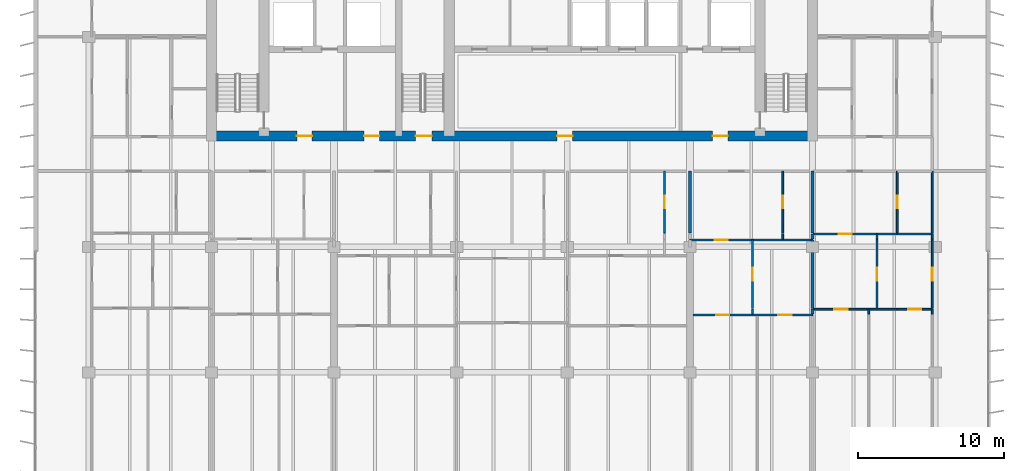
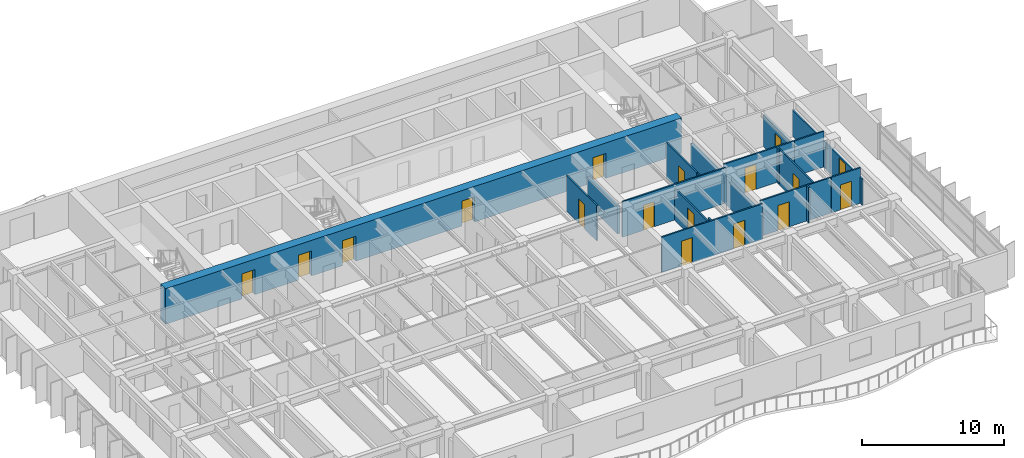
# One storey, part 11 of 18: 25 walls, 17 doors, 17 openings.
"""IFC4 building model written with IfcOpenShell, lengths in metres."""

from ifc_helpers import new_model, si_unit, direction, frame, frame_2d, origin, place, context, subcontext, project, spatial, rectangle, extrude, material, layer, layer_set, type_object, element, fill, save


model = new_model("IFC4")

# Units and contexts
model_context = context("Model", 3, precision=1e-05, world=origin(), true_north=direction((0.0, 1.0)))
body_context = subcontext(model_context, "Body", "Model", "MODEL_VIEW")
ifc_project = project(units=[si_unit("LENGTHUNIT", "METRE"), si_unit("AREAUNIT", "SQUARE_METRE"), si_unit("VOLUMEUNIT", "CUBIC_METRE"), si_unit("PLANEANGLEUNIT", "RADIAN"), si_unit("MASSUNIT", "GRAM", prefix="KILO")], contexts=[model_context])

# Site, building, storey
site_placement = place(None, origin())
site = spatial("IfcSite", under=ifc_project, at=site_placement, CompositionType="ELEMENT")
building_placement = place(site_placement, origin())
building = spatial("IfcBuilding", under=site, at=building_placement, Name="Caelmar Bay Residences", CompositionType="ELEMENT")
storey_placement = place(building_placement, frame((0.0, 0.0, 173.699951171875)))
storey = spatial("IfcBuildingStorey", under=building, at=storey_placement, Name="L48", CompositionType="ELEMENT", Elevation=173.699951171875)

# Wall, openings, doors
ifc_material_1 = material(Name="Concrete f'c 55 MPa (8,000 psi)", Category="concrete")
ifc_layer_1 = layer(ifc_material_1, 0.699951171875)
ifc_layer_set_1 = layer_set([ifc_layer_1], Name="Concrete f'c 55 MPa (8,000 psi)")
wall_type_1 = type_object("IfcWallType", Name="SW-COR-700", PredefinedType="SHEAR", material=ifc_layer_set_1)
wall_1_placement = place(storey_placement, frame((17.949951171875, 37.0, 0.0), z_axis=(0.0, 0.0, 1.0), x_axis=(1.0, 0.0, 0.0)))
wall_1 = element("IfcWall", 1, at=wall_1_placement, inside=storey, type_object=wall_type_1, Name="L48 Rear Core South Shear Wall", PredefinedType="SHEAR", context=body_context, shape_type="SweptSolid", body=[
    extrude(rectangle(XDim=41.900146484375, YDim=0.699951171875, at=frame_2d((20.9501953125, 0.0))), origin(), (0.0, 0.0, 1.0), 3.050048828125),
])
opening_1_placement = place(wall_1_placement, frame((14.35009765625, 0.0, 0.0)))
opening_1 = element("IfcOpeningElement", 2, at=opening_1_placement, cuts=wall_1, Name="Opening D-L48-105", PredefinedType="OPENING", context=body_context, shape_type="SweptSolid", body=[
    extrude(rectangle(XDim=1.10009765625, YDim=2.14990234375, at=frame_2d((0.550048828125, 1.074951171875))), frame((0.0, 0.35986328125, 0.0), z_axis=(0.0, -1.0, 0.0), x_axis=(1.0, 0.0, 0.0)), (0.0, 0.0, 1.0), 0.719970703125),
])
opening_2_placement = place(wall_1_placement, frame((6.199951171875, 0.0, 0.0)))
opening_2 = element("IfcOpeningElement", 3, at=opening_2_placement, cuts=wall_1, Name="Opening D-L48-106", PredefinedType="OPENING", context=body_context, shape_type="SweptSolid", body=[
    extrude(rectangle(XDim=1.050048828125, YDim=2.14990234375, at=frame_2d((0.52490234375, 1.074951171875))), frame((0.0, 0.35986328125, 0.0), z_axis=(0.0, -1.0, 0.0), x_axis=(1.0, 0.0, 0.0)), (0.0, 0.0, 1.0), 0.719970703125),
])
opening_3_placement = place(wall_1_placement, frame((34.699951171875, 0.0, 0.0)))
opening_3 = element("IfcOpeningElement", 4, at=opening_3_placement, cuts=wall_1, Name="Opening D-L48-109", PredefinedType="OPENING", context=body_context, shape_type="SweptSolid", body=[
    extrude(rectangle(XDim=1.050048828125, YDim=2.14990234375, at=frame_2d((0.52490234375, 1.074951171875))), frame((0.0, 0.35986328125, 0.0), z_axis=(0.0, -1.0, 0.0), x_axis=(1.0, 0.0, 0.0)), (0.0, 0.0, 1.0), 0.719970703125),
])
opening_4_placement = place(wall_1_placement, frame((10.8125, 0.0, 0.0)))
opening_4 = element("IfcOpeningElement", 5, at=opening_4_placement, cuts=wall_1, Name="Opening D-L48-112", PredefinedType="OPENING", context=body_context, shape_type="SweptSolid", body=[
    extrude(rectangle(XDim=1.050048828125, YDim=2.14990234375, at=frame_2d((0.52490234375, 1.074951171875))), frame((0.0, 0.35986328125, 0.0), z_axis=(0.0, -1.0, 0.0), x_axis=(1.0, 0.0, 0.0)), (0.0, 0.0, 1.0), 0.719970703125),
])
opening_5_placement = place(wall_1_placement, frame((24.050048828125, 0.0, 0.0)))
opening_5 = element("IfcOpeningElement", 6, at=opening_5_placement, cuts=wall_1, Name="Opening D-L48-113", PredefinedType="OPENING", context=body_context, shape_type="SweptSolid", body=[
    extrude(rectangle(XDim=1.050048828125, YDim=2.14990234375, at=frame_2d((0.52490234375, 1.074951171875))), frame((0.0, 0.35986328125, 0.0), z_axis=(0.0, -1.0, 0.0), x_axis=(1.0, 0.0, 0.0)), (0.0, 0.0, 1.0), 0.719970703125),
])
ifc_material_2 = material(Name="Fire-rated steel and walnut architectural door assembly", Category="steel")
ifc_layer_2 = layer(ifc_material_2, 0.050048828125)
ifc_layer_set_2 = layer_set([ifc_layer_2], Name="Fire-rated steel and walnut architectural door assembly")
door_type_1 = type_object("IfcDoorType", Name="D-FSAE-1050", OperationType="NOTDEFINED", PredefinedType="DOOR", material=ifc_layer_set_2)
door_1_placement = place(opening_2_placement, origin())
door_1 = element("IfcDoor", 7, at=door_1_placement, inside=storey, type_object=door_type_1, Name="L48 Firefighting Lobby West Door", OperationType="SINGLE_SWING_LEFT", OverallHeight=2.14990234375, OverallWidth=1.050048828125, PredefinedType="DOOR", context=body_context, shape_type="SweptSolid", body=[
    extrude(rectangle(XDim=1.050048828125, YDim=2.14990234375, at=frame_2d((0.52490234375, 1.074951171875))), frame((0.0, 0.02490234375, 0.0), z_axis=(0.0, -1.0, 0.0), x_axis=(1.0, 0.0, 0.0)), (0.0, 0.0, 1.0), 0.050048828125),
])
fill(opening_2, door_1)
door_2_placement = place(opening_3_placement, origin())
door_2 = element("IfcDoor", 8, at=door_2_placement, inside=storey, type_object=door_type_1, Name="L48 Firefighting Lobby East Door", OperationType="SINGLE_SWING_RIGHT", OverallHeight=2.14990234375, OverallWidth=1.050048828125, PredefinedType="DOOR", context=body_context, shape_type="SweptSolid", body=[
    extrude(rectangle(XDim=1.050048828125, YDim=2.14990234375, at=frame_2d((0.52490234375, 1.074951171875))), frame((0.0, 0.02490234375, 0.0), z_axis=(0.0, -1.0, 0.0), x_axis=(1.0, 0.0, 0.0)), (0.0, 0.0, 1.0), 0.050048828125),
])
fill(opening_3, door_2)
door_3_placement = place(opening_4_placement, origin())
door_3 = element("IfcDoor", 9, at=door_3_placement, inside=storey, type_object=door_type_1, Name="L48 West Lift Lobby Door", OperationType="SINGLE_SWING_LEFT", OverallHeight=2.14990234375, OverallWidth=1.050048828125, PredefinedType="DOOR", context=body_context, shape_type="SweptSolid", body=[
    extrude(rectangle(XDim=1.050048828125, YDim=2.14990234375, at=frame_2d((0.52490234375, 1.074951171875))), frame((0.0, 0.02490234375, 0.0), z_axis=(0.0, -1.0, 0.0), x_axis=(1.0, 0.0, 0.0)), (0.0, 0.0, 1.0), 0.050048828125),
])
fill(opening_4, door_3)
door_4_placement = place(opening_5_placement, origin())
door_4 = element("IfcDoor", 10, at=door_4_placement, inside=storey, type_object=door_type_1, Name="L48 Passenger Lift Lobby Door", OperationType="SINGLE_SWING_RIGHT", OverallHeight=2.14990234375, OverallWidth=1.050048828125, PredefinedType="DOOR", context=body_context, shape_type="SweptSolid", body=[
    extrude(rectangle(XDim=1.050048828125, YDim=2.14990234375, at=frame_2d((0.52490234375, 1.074951171875))), frame((0.0, 0.02490234375, 0.0), z_axis=(0.0, -1.0, 0.0), x_axis=(1.0, 0.0, 0.0)), (0.0, 0.0, 1.0), 0.050048828125),
])
fill(opening_5, door_4)
ifc_layer_3 = layer(ifc_material_2, 0.050048828125)
ifc_layer_set_3 = layer_set([ifc_layer_3], Name="Fire-rated steel and walnut architectural door assembly")
door_type_2 = type_object("IfcDoorType", Name="D-STAIR-1100", OperationType="NOTDEFINED", PredefinedType="DOOR", material=ifc_layer_set_3)
door_5_placement = place(opening_1_placement, origin())
door_5 = element("IfcDoor", 11, at=door_5_placement, inside=storey, type_object=door_type_2, Name="L48 Exit Stair ST3 Door", OperationType="SINGLE_SWING_RIGHT", OverallHeight=2.14990234375, OverallWidth=1.10009765625, PredefinedType="DOOR", context=body_context, shape_type="SweptSolid", body=[
    extrude(rectangle(XDim=1.10009765625, YDim=2.14990234375, at=frame_2d((0.550048828125, 1.074951171875))), frame((0.0, 0.02490234375, 0.0), z_axis=(0.0, -1.0, 0.0), x_axis=(1.0, 0.0, 0.0)), (0.0, 0.0, 1.0), 0.050048828125),
])
fill(opening_1, door_5)

# Wall, opening, door
ifc_material_3 = material(Name="Acoustic metal-stud gypsum partition 120 mm")
ifc_layer_4 = layer(ifc_material_3, 0.1201171875)
ifc_layer_set_4 = layer_set([ifc_layer_4], Name="Acoustic metal-stud gypsum partition 120 mm")
wall_type_2 = type_object("IfcWallType", Name="W-PRT-120", PredefinedType="PARTITIONING", material=ifc_layer_set_4)
wall_2_placement = place(storey_placement, frame((49.35888671875, 30.340087890625, 0.0), z_axis=(0.0, 0.0, 1.0), x_axis=(0.0, 1.0, 0.0)))
wall_2 = element("IfcWall", 12, at=wall_2_placement, inside=storey, type_object=wall_type_2, Name="L48 Partition Wall V066", PredefinedType="PARTITIONING", context=body_context, shape_type="SweptSolid", body=[
    extrude(rectangle(XDim=4.260009765625, YDim=0.1201171875, at=frame_2d((2.1298828125, 0.0))), origin(), (0.0, 0.0, 1.0), 3.050048828125),
])
opening_6_placement = place(wall_2_placement, frame((1.705078125, 0.0, 0.0)))
opening_6 = element("IfcOpeningElement", 13, at=opening_6_placement, cuts=wall_2, Name="Opening D-L48-146", PredefinedType="OPENING", context=body_context, shape_type="SweptSolid", body=[
    extrude(rectangle(XDim=0.85009765625, YDim=2.10009765625, at=frame_2d((0.425048828125, 1.050048828125))), frame((0.0, 0.070068359375, 0.0), z_axis=(0.0, -1.0, 0.0), x_axis=(1.0, 0.0, 0.0)), (0.0, 0.0, 1.0), 0.14013671875),
])
ifc_material_4 = material(Name="Solid walnut timber interior door leaf and frame", Category="wood")
ifc_layer_5 = layer(ifc_material_4, 0.050048828125)
ifc_layer_set_5 = layer_set([ifc_layer_5], Name="Solid walnut timber interior door leaf and frame")
door_type_3 = type_object("IfcDoorType", Name="D-BATH-850", OperationType="NOTDEFINED", PredefinedType="DOOR", material=ifc_layer_set_5)
door_6_placement = place(opening_6_placement, origin())
door_6 = element("IfcDoor", 14, at=door_6_placement, inside=storey, type_object=door_type_3, Name="L48 Residence 03 En-Suite Bathroom 2 Door", OperationType="SINGLE_SWING_LEFT", OverallHeight=2.10009765625, OverallWidth=0.85009765625, PredefinedType="DOOR", context=body_context, shape_type="SweptSolid", body=[
    extrude(rectangle(XDim=0.85009765625, YDim=2.10009765625, at=frame_2d((0.425048828125, 1.050048828125))), frame((0.0, 0.02490234375, 0.0), z_axis=(0.0, -1.0, 0.0), x_axis=(1.0, 0.0, 0.0)), (0.0, 0.0, 1.0), 0.050048828125),
])
fill(opening_6, door_6)

# Wall
wall_3_placement = place(storey_placement, frame((55.385986328125, 24.7900390625, 0.0), z_axis=(0.0, 0.0, 1.0), x_axis=(0.0, 1.0, 0.0)))
element("IfcWall", 15, at=wall_3_placement, inside=storey, type_object=wall_type_2, Name="L48 Partition Wall V075", PredefinedType="PARTITIONING", context=body_context, shape_type="SweptSolid", body=[
    extrude(rectangle(XDim=0.33984375, YDim=0.1201171875, at=frame_2d((0.169921875, 0.0))), origin(), (0.0, 0.0, 1.0), 3.050048828125),
])

# Wall, opening, door
wall_4_placement = place(storey_placement, frame((55.385986328125, 25.18994140625, 0.0), z_axis=(0.0, 0.0, 1.0), x_axis=(0.0, 1.0, 0.0)))
wall_4 = element("IfcWall", 16, at=wall_4_placement, inside=storey, type_object=wall_type_2, Name="L48 Partition Wall V076", PredefinedType="PARTITIONING", context=body_context, shape_type="SweptSolid", body=[
    extrude(rectangle(XDim=4.68994140625, YDim=0.1201171875, at=frame_2d((2.344970703125, 0.0))), origin(), (0.0, 0.0, 1.0), 2.72509765625),
])
opening_7_placement = place(wall_4_placement, frame((1.89501953125, 0.0, 0.0)))
opening_7 = element("IfcOpeningElement", 17, at=opening_7_placement, cuts=wall_4, Name="Opening D-L48-152", PredefinedType="OPENING", context=body_context, shape_type="SweptSolid", body=[
    extrude(rectangle(XDim=0.89990234375, YDim=2.14990234375, at=frame_2d((0.449951171875, 1.074951171875))), frame((0.0, 0.070068359375, 0.0), z_axis=(0.0, -1.0, 0.0), x_axis=(1.0, 0.0, 0.0)), (0.0, 0.0, 1.0), 0.14013671875),
])
ifc_layer_6 = layer(ifc_material_4, 0.050048828125)
ifc_layer_set_6 = layer_set([ifc_layer_6], Name="Solid walnut timber interior door leaf and frame")
door_type_4 = type_object("IfcDoorType", Name="D-ROOM-900", OperationType="NOTDEFINED", PredefinedType="DOOR", material=ifc_layer_set_6)
door_7_placement = place(opening_7_placement, origin())
door_7 = element("IfcDoor", 18, at=door_7_placement, inside=storey, type_object=door_type_4, Name="L48 Residence 04 Formal Dining Room Door", OperationType="SINGLE_SWING_LEFT", OverallHeight=2.14990234375, OverallWidth=0.89990234375, PredefinedType="DOOR", context=body_context, shape_type="SweptSolid", body=[
    extrude(rectangle(XDim=0.89990234375, YDim=2.14990234375, at=frame_2d((0.449951171875, 1.074951171875))), frame((0.0, 0.02490234375, 0.0), z_axis=(0.0, -1.0, 0.0), x_axis=(1.0, 0.0, 0.0)), (0.0, 0.0, 1.0), 0.050048828125),
])
fill(opening_7, door_7)

# Wall
wall_5_placement = place(storey_placement, frame((57.466064453125, 29.93994140625, 0.0), z_axis=(0.0, 0.0, 1.0), x_axis=(0.0, 1.0, 0.0)))
element("IfcWall", 19, at=wall_5_placement, inside=storey, type_object=wall_type_2, Name="L48 Partition Wall V080", PredefinedType="PARTITIONING", context=body_context, shape_type="SweptSolid", body=[
    extrude(rectangle(XDim=0.340087890625, YDim=0.1201171875, at=frame_2d((0.169921875, 0.0))), origin(), (0.0, 0.0, 1.0), 3.050048828125),
])

# Wall, opening, door
wall_6_placement = place(storey_placement, frame((57.466064453125, 30.340087890625, 0.0), z_axis=(0.0, 0.0, 1.0), x_axis=(0.0, 1.0, 0.0)))
wall_6 = element("IfcWall", 20, at=wall_6_placement, inside=storey, type_object=wall_type_2, Name="L48 Partition Wall V081", PredefinedType="PARTITIONING", context=body_context, shape_type="SweptSolid", body=[
    extrude(rectangle(XDim=4.260009765625, YDim=0.1201171875, at=frame_2d((2.1298828125, 0.0))), origin(), (0.0, 0.0, 1.0), 3.050048828125),
])
opening_8_placement = place(wall_6_placement, frame((1.705078125, 0.0, 0.0)))
opening_8 = element("IfcOpeningElement", 21, at=opening_8_placement, cuts=wall_6, Name="Opening D-L48-150", PredefinedType="OPENING", context=body_context, shape_type="SweptSolid", body=[
    extrude(rectangle(XDim=0.85009765625, YDim=2.10009765625, at=frame_2d((0.425048828125, 1.050048828125))), frame((0.0, 0.070068359375, 0.0), z_axis=(0.0, -1.0, 0.0), x_axis=(1.0, 0.0, 0.0)), (0.0, 0.0, 1.0), 0.14013671875),
])
door_8_placement = place(opening_8_placement, origin())
door_8 = element("IfcDoor", 22, at=door_8_placement, inside=storey, type_object=door_type_3, Name="L48 Residence 04 Bathroom Door", OperationType="SINGLE_SWING_LEFT", OverallHeight=2.10009765625, OverallWidth=0.85009765625, PredefinedType="DOOR", context=body_context, shape_type="SweptSolid", body=[
    extrude(rectangle(XDim=0.85009765625, YDim=2.10009765625, at=frame_2d((0.425048828125, 1.050048828125))), frame((0.0, 0.02490234375, 0.0), z_axis=(0.0, -1.0, 0.0), x_axis=(1.0, 0.0, 0.0)), (0.0, 0.0, 1.0), 0.050048828125),
])
fill(opening_8, door_8)

# Wall
wall_7_placement = place(storey_placement, frame((63.35400390625, 24.7900390625, 0.0), z_axis=(0.0, 0.0, 1.0), x_axis=(0.0, 1.0, 0.0)))
element("IfcWall", 23, at=wall_7_placement, inside=storey, type_object=wall_type_2, Name="L48 Partition Wall V091", PredefinedType="PARTITIONING", context=body_context, shape_type="SweptSolid", body=[
    extrude(rectangle(XDim=0.33984375, YDim=0.1201171875, at=frame_2d((0.169921875, 0.0))), origin(), (0.0, 0.0, 1.0), 3.050048828125),
])

# Wall, opening, door
wall_8_placement = place(storey_placement, frame((63.927978515625, 25.18994140625, 0.0), z_axis=(0.0, 0.0, 1.0), x_axis=(0.0, 1.0, 0.0)))
wall_8 = element("IfcWall", 24, at=wall_8_placement, inside=storey, type_object=wall_type_2, Name="L48 Partition Wall V092", PredefinedType="PARTITIONING", context=body_context, shape_type="SweptSolid", body=[
    extrude(rectangle(XDim=4.68994140625, YDim=0.1201171875, at=frame_2d((2.344970703125, 0.0))), origin(), (0.0, 0.0, 1.0), 3.050048828125),
])
opening_9_placement = place(wall_8_placement, frame((1.89501953125, 0.0, 0.0)))
opening_9 = element("IfcOpeningElement", 25, at=opening_9_placement, cuts=wall_8, Name="Opening D-L48-159", PredefinedType="OPENING", context=body_context, shape_type="SweptSolid", body=[
    extrude(rectangle(XDim=0.89990234375, YDim=2.14990234375, at=frame_2d((0.449951171875, 1.074951171875))), frame((0.0, 0.070068359375, 0.0), z_axis=(0.0, -1.0, 0.0), x_axis=(1.0, 0.0, 0.0)), (0.0, 0.0, 1.0), 0.14013671875),
])
door_9_placement = place(opening_9_placement, origin())
door_9 = element("IfcDoor", 26, at=door_9_placement, inside=storey, type_object=door_type_4, Name="L48 Residence 05 Formal Dining Room Door", OperationType="SINGLE_SWING_RIGHT", OverallHeight=2.14990234375, OverallWidth=0.89990234375, PredefinedType="DOOR", context=body_context, shape_type="SweptSolid", body=[
    extrude(rectangle(XDim=0.89990234375, YDim=2.14990234375, at=frame_2d((0.449951171875, 1.074951171875))), frame((0.0, 0.02490234375, 0.0), z_axis=(0.0, -1.0, 0.0), x_axis=(1.0, 0.0, 0.0)), (0.0, 0.0, 1.0), 0.050048828125),
])
fill(opening_9, door_9)

# Wall
wall_9_placement = place(storey_placement, frame((63.927978515625, 29.93994140625, 0.0), z_axis=(0.0, 0.0, 1.0), x_axis=(0.0, 1.0, 0.0)))
element("IfcWall", 27, at=wall_9_placement, inside=storey, type_object=wall_type_2, Name="L48 Partition Wall V093", PredefinedType="PARTITIONING", context=body_context, shape_type="SweptSolid", body=[
    extrude(rectangle(XDim=0.340087890625, YDim=0.1201171875, at=frame_2d((0.169921875, 0.0))), origin(), (0.0, 0.0, 1.0), 3.050048828125),
])

# Wall, opening, door
wall_10_placement = place(storey_placement, frame((65.31591796875, 30.340087890625, 0.0), z_axis=(0.0, 0.0, 1.0), x_axis=(0.0, 1.0, 0.0)))
wall_10 = element("IfcWall", 28, at=wall_10_placement, inside=storey, type_object=wall_type_2, Name="L48 Partition Wall V095", PredefinedType="PARTITIONING", context=body_context, shape_type="SweptSolid", body=[
    extrude(rectangle(XDim=4.260009765625, YDim=0.1201171875, at=frame_2d((2.1298828125, 0.0))), origin(), (0.0, 0.0, 1.0), 2.678955078125),
])
opening_10_placement = place(wall_10_placement, frame((1.705078125, 0.0, 0.0)))
opening_10 = element("IfcOpeningElement", 29, at=opening_10_placement, cuts=wall_10, Name="Opening D-L48-157", PredefinedType="OPENING", context=body_context, shape_type="SweptSolid", body=[
    extrude(rectangle(XDim=0.85009765625, YDim=2.10009765625, at=frame_2d((0.425048828125, 1.050048828125))), frame((0.0, 0.070068359375, 0.0), z_axis=(0.0, -1.0, 0.0), x_axis=(1.0, 0.0, 0.0)), (0.0, 0.0, 1.0), 0.14013671875),
])
door_10_placement = place(opening_10_placement, origin())
door_10 = element("IfcDoor", 30, at=door_10_placement, inside=storey, type_object=door_type_3, Name="L48 Residence 05 Bathroom Door", OperationType="SINGLE_SWING_RIGHT", OverallHeight=2.10009765625, OverallWidth=0.85009765625, PredefinedType="DOOR", context=body_context, shape_type="SweptSolid", body=[
    extrude(rectangle(XDim=0.85009765625, YDim=2.10009765625, at=frame_2d((0.425048828125, 1.050048828125))), frame((0.0, 0.02490234375, 0.0), z_axis=(0.0, -1.0, 0.0), x_axis=(1.0, 0.0, 0.0)), (0.0, 0.0, 1.0), 0.050048828125),
])
fill(opening_10, door_10)

# Wall
wall_11_placement = place(storey_placement, frame((67.699951171875, 24.7900390625, 0.0), z_axis=(0.0, 0.0, 1.0), x_axis=(0.0, 1.0, 0.0)))
element("IfcWall", 31, at=wall_11_placement, inside=storey, type_object=wall_type_2, Name="L48 Partition Wall V097", PredefinedType="PARTITIONING", context=body_context, shape_type="SweptSolid", body=[
    extrude(rectangle(XDim=0.33984375, YDim=0.1201171875, at=frame_2d((0.169921875, 0.0))), origin(), (0.0, 0.0, 1.0), 2.262939453125),
])

# Wall, opening, door
wall_12_placement = place(storey_placement, frame((67.699951171875, 25.18994140625, 0.0), z_axis=(0.0, 0.0, 1.0), x_axis=(0.0, 1.0, 0.0)))
wall_12 = element("IfcWall", 32, at=wall_12_placement, inside=storey, type_object=wall_type_2, Name="L48 Partition Wall V098", PredefinedType="PARTITIONING", context=body_context, shape_type="SweptSolid", body=[
    extrude(rectangle(XDim=4.68994140625, YDim=0.1201171875, at=frame_2d((2.344970703125, 0.0))), origin(), (0.0, 0.0, 1.0), 2.262939453125),
])
opening_11_placement = place(wall_12_placement, frame((1.89501953125, 0.0, 0.0)))
opening_11 = element("IfcOpeningElement", 33, at=opening_11_placement, cuts=wall_12, Name="Opening D-L48-164", PredefinedType="OPENING", context=body_context, shape_type="SweptSolid", body=[
    extrude(rectangle(XDim=0.89990234375, YDim=2.14990234375, at=frame_2d((0.449951171875, 1.074951171875))), frame((0.0, 0.070068359375, 0.0), z_axis=(0.0, -1.0, 0.0), x_axis=(1.0, 0.0, 0.0)), (0.0, 0.0, 1.0), 0.14013671875),
])
door_11_placement = place(opening_11_placement, origin())
door_11 = element("IfcDoor", 34, at=door_11_placement, inside=storey, type_object=door_type_4, Name="L48 Residence 05 Penthouse East Salon Door", OperationType="SINGLE_SWING_LEFT", OverallHeight=2.14990234375, OverallWidth=0.89990234375, PredefinedType="DOOR", context=body_context, shape_type="SweptSolid", body=[
    extrude(rectangle(XDim=0.89990234375, YDim=2.14990234375, at=frame_2d((0.449951171875, 1.074951171875))), frame((0.0, 0.02490234375, 0.0), z_axis=(0.0, -1.0, 0.0), x_axis=(1.0, 0.0, 0.0)), (0.0, 0.0, 1.0), 0.050048828125),
])
fill(opening_11, door_11)

# Walls
wall_13_placement = place(storey_placement, frame((67.699951171875, 29.93994140625, 0.0), z_axis=(0.0, 0.0, 1.0), x_axis=(0.0, 1.0, 0.0)))
element("IfcWall", 35, at=wall_13_placement, inside=storey, type_object=wall_type_2, Name="L48 Partition Wall V099", PredefinedType="PARTITIONING", context=body_context, shape_type="SweptSolid", body=[
    extrude(rectangle(XDim=0.340087890625, YDim=0.1201171875, at=frame_2d((0.169921875, 0.0))), origin(), (0.0, 0.0, 1.0), 2.262939453125),
])
wall_14_placement = place(storey_placement, frame((67.699951171875, 30.340087890625, 0.0), z_axis=(0.0, 0.0, 1.0), x_axis=(0.0, 1.0, 0.0)))
element("IfcWall", 36, at=wall_14_placement, inside=storey, type_object=wall_type_2, Name="L48 Partition Wall V100", PredefinedType="PARTITIONING", context=body_context, shape_type="SweptSolid", body=[
    extrude(rectangle(XDim=4.260009765625, YDim=0.1201171875, at=frame_2d((2.1298828125, 0.0))), origin(), (0.0, 0.0, 1.0), 2.262939453125),
])

# Wall, openings, doors
wall_15_placement = place(storey_placement, frame((51.320068359375, 24.72998046875, 0.0), z_axis=(0.0, 0.0, 1.0), x_axis=(1.0, 0.0, 0.0)))
wall_15 = element("IfcWall", 37, at=wall_15_placement, inside=storey, type_object=wall_type_2, Name="L48 Partition Wall H113", PredefinedType="PARTITIONING", context=body_context, shape_type="SweptSolid", body=[
    extrude(rectangle(XDim=8.179931640625, YDim=0.1201171875, at=frame_2d((4.08984375, 0.0))), origin(), (0.0, 0.0, 1.0), 3.050048828125),
])
opening_12_placement = place(wall_15_placement, frame((1.5830078125, 0.0, 0.0)))
opening_12 = element("IfcOpeningElement", 38, at=opening_12_placement, cuts=wall_15, Name="Opening D-L48-153", PredefinedType="OPENING", context=body_context, shape_type="SweptSolid", body=[
    extrude(rectangle(XDim=0.89990234375, YDim=2.14990234375, at=frame_2d((0.449951171875, 1.074951171875))), frame((0.0, 0.070068359375, 0.0), z_axis=(0.0, -1.0, 0.0), x_axis=(1.0, 0.0, 0.0)), (0.0, 0.0, 1.0), 0.14013671875),
])
opening_13_placement = place(wall_15_placement, frame((5.840087890625, 0.0, 0.0)))
opening_13 = element("IfcOpeningElement", 39, at=opening_13_placement, cuts=wall_15, Name="Opening D-L48-154", PredefinedType="OPENING", context=body_context, shape_type="SweptSolid", body=[
    extrude(rectangle(XDim=0.89990234375, YDim=2.14990234375, at=frame_2d((0.449951171875, 1.074951171875))), frame((0.0, 0.070068359375, 0.0), z_axis=(0.0, -1.0, 0.0), x_axis=(1.0, 0.0, 0.0)), (0.0, 0.0, 1.0), 0.14013671875),
])
door_12_placement = place(opening_12_placement, origin())
door_12 = element("IfcDoor", 40, at=door_12_placement, inside=storey, type_object=door_type_4, Name="L48 Residence 04 Penthouse Living Salon Door", OperationType="SINGLE_SWING_RIGHT", OverallHeight=2.14990234375, OverallWidth=0.89990234375, PredefinedType="DOOR", context=body_context, shape_type="SweptSolid", body=[
    extrude(rectangle(XDim=0.89990234375, YDim=2.14990234375, at=frame_2d((0.449951171875, 1.074951171875))), frame((0.0, 0.02490234375, 0.0), z_axis=(0.0, -1.0, 0.0), x_axis=(1.0, 0.0, 0.0)), (0.0, 0.0, 1.0), 0.050048828125),
])
fill(opening_12, door_12)
door_13_placement = place(opening_13_placement, origin())
door_13 = element("IfcDoor", 41, at=door_13_placement, inside=storey, type_object=door_type_4, Name="L48 Residence 04 Penthouse Sitting Room Door", OperationType="SINGLE_SWING_LEFT", OverallHeight=2.14990234375, OverallWidth=0.89990234375, PredefinedType="DOOR", context=body_context, shape_type="SweptSolid", body=[
    extrude(rectangle(XDim=0.89990234375, YDim=2.14990234375, at=frame_2d((0.449951171875, 1.074951171875))), frame((0.0, 0.02490234375, 0.0), z_axis=(0.0, -1.0, 0.0), x_axis=(1.0, 0.0, 0.0)), (0.0, 0.0, 1.0), 0.050048828125),
])
fill(opening_13, door_13)

# Wall, opening, door
wall_16_placement = place(storey_placement, frame((59.550048828125, 25.1298828125, 0.0), z_axis=(0.0, 0.0, 1.0), x_axis=(1.0, 0.0, 0.0)))
wall_16 = element("IfcWall", 42, at=wall_16_placement, inside=storey, type_object=wall_type_2, Name="L48 Partition Wall H115", PredefinedType="PARTITIONING", context=body_context, shape_type="SweptSolid", body=[
    extrude(rectangle(XDim=5.72998046875, YDim=0.1201171875, at=frame_2d((2.864990234375, 0.0))), origin(), (0.0, 0.0, 1.0), 3.050048828125),
])
opening_14_placement = place(wall_16_placement, frame((1.451904296875, 0.0, 0.0)))
opening_14 = element("IfcOpeningElement", 43, at=opening_14_placement, cuts=wall_16, Name="Opening D-L48-160", PredefinedType="OPENING", context=body_context, shape_type="SweptSolid", body=[
    extrude(rectangle(XDim=0.89990234375, YDim=2.14990234375, at=frame_2d((0.449951171875, 1.074951171875))), frame((0.0, 0.070068359375, 0.0), z_axis=(0.0, -1.0, 0.0), x_axis=(1.0, 0.0, 0.0)), (0.0, 0.0, 1.0), 0.14013671875),
])
door_14_placement = place(opening_14_placement, origin())
door_14 = element("IfcDoor", 44, at=door_14_placement, inside=storey, type_object=door_type_4, Name="L48 Residence 05 Living Room Door", OperationType="SINGLE_SWING_LEFT", OverallHeight=2.14990234375, OverallWidth=0.89990234375, PredefinedType="DOOR", context=body_context, shape_type="SweptSolid", body=[
    extrude(rectangle(XDim=0.89990234375, YDim=2.14990234375, at=frame_2d((0.449951171875, 1.074951171875))), frame((0.0, 0.02490234375, 0.0), z_axis=(0.0, -1.0, 0.0), x_axis=(1.0, 0.0, 0.0)), (0.0, 0.0, 1.0), 0.050048828125),
])
fill(opening_14, door_14)

wall_17_placement = place(storey_placement, frame((65.31591796875, 25.1298828125, 0.0), z_axis=(0.0, 0.0, 1.0), x_axis=(1.0, 0.0, 0.0)))
wall_17 = element("IfcWall", 45, at=wall_17_placement, inside=storey, type_object=wall_type_2, Name="L48 Partition Wall H116", PredefinedType="PARTITIONING", context=body_context, shape_type="SweptSolid", body=[
    extrude(rectangle(XDim=2.384033203125, YDim=0.1201171875, at=frame_2d((1.19189453125, 0.0))), origin(), (0.0, 0.0, 1.0), 3.050048828125),
])
opening_15_placement = place(wall_17_placement, frame((0.741943359375, 0.0, 0.0)))
opening_15 = element("IfcOpeningElement", 46, at=opening_15_placement, cuts=wall_17, Name="Opening D-L48-161", PredefinedType="OPENING", context=body_context, shape_type="SweptSolid", body=[
    extrude(rectangle(XDim=0.89990234375, YDim=2.14990234375, at=frame_2d((0.449951171875, 1.074951171875))), frame((0.0, 0.070068359375, 0.0), z_axis=(0.0, -1.0, 0.0), x_axis=(1.0, 0.0, 0.0)), (0.0, 0.0, 1.0), 0.14013671875),
])
door_15_placement = place(opening_15_placement, origin())
door_15 = element("IfcDoor", 47, at=door_15_placement, inside=storey, type_object=door_type_4, Name="L48 Residence 05 Penthouse Sitting Room Door", OperationType="SINGLE_SWING_RIGHT", OverallHeight=2.14990234375, OverallWidth=0.89990234375, PredefinedType="DOOR", context=body_context, shape_type="SweptSolid", body=[
    extrude(rectangle(XDim=0.89990234375, YDim=2.14990234375, at=frame_2d((0.449951171875, 1.074951171875))), frame((0.0, 0.02490234375, 0.0), z_axis=(0.0, -1.0, 0.0), x_axis=(1.0, 0.0, 0.0)), (0.0, 0.0, 1.0), 0.050048828125),
])
fill(opening_15, door_15)

wall_18_placement = place(storey_placement, frame((51.10009765625, 29.8798828125, 0.0), z_axis=(0.0, 0.0, 1.0), x_axis=(1.0, 0.0, 0.0)))
wall_18 = element("IfcWall", 48, at=wall_18_placement, inside=storey, type_object=wall_type_2, Name="L48 Partition Wall H121", PredefinedType="PARTITIONING", context=body_context, shape_type="SweptSolid", body=[
    extrude(rectangle(XDim=8.39990234375, YDim=0.1201171875, at=frame_2d((4.199951171875, 0.0))), origin(), (0.0, 0.0, 1.0), 3.050048828125),
])
opening_16_placement = place(wall_18_placement, frame((1.693115234375, 0.0, 0.0)))
opening_16 = element("IfcOpeningElement", 49, at=opening_16_placement, cuts=wall_18, Name="Opening D-L48-151", PredefinedType="OPENING", context=body_context, shape_type="SweptSolid", body=[
    extrude(rectangle(XDim=0.89990234375, YDim=2.14990234375, at=frame_2d((0.449951171875, 1.074951171875))), frame((0.0, 0.070068359375, 0.0), z_axis=(0.0, -1.0, 0.0), x_axis=(1.0, 0.0, 0.0)), (0.0, 0.0, 1.0), 0.14013671875),
])
door_16_placement = place(opening_16_placement, origin())
door_16 = element("IfcDoor", 50, at=door_16_placement, inside=storey, type_object=door_type_4, Name="L48 Residence 04 Kitchen Door", OperationType="SINGLE_SWING_RIGHT", OverallHeight=2.14990234375, OverallWidth=0.89990234375, PredefinedType="DOOR", context=body_context, shape_type="SweptSolid", body=[
    extrude(rectangle(XDim=0.89990234375, YDim=2.14990234375, at=frame_2d((0.449951171875, 1.074951171875))), frame((0.0, 0.02490234375, 0.0), z_axis=(0.0, -1.0, 0.0), x_axis=(1.0, 0.0, 0.0)), (0.0, 0.0, 1.0), 0.050048828125),
])
fill(opening_16, door_16)

wall_19_placement = place(storey_placement, frame((59.550048828125, 30.280029296875, 0.0), z_axis=(0.0, 0.0, 1.0), x_axis=(1.0, 0.0, 0.0)))
wall_19 = element("IfcWall", 51, at=wall_19_placement, inside=storey, type_object=wall_type_2, Name="L48 Partition Wall H123", PredefinedType="PARTITIONING", context=body_context, shape_type="SweptSolid", body=[
    extrude(rectangle(XDim=5.72998046875, YDim=0.1201171875, at=frame_2d((2.864990234375, 0.0))), origin(), (0.0, 0.0, 1.0), 3.050048828125),
])
opening_17_placement = place(wall_19_placement, frame((1.739013671875, 0.0, 0.0)))
opening_17 = element("IfcOpeningElement", 52, at=opening_17_placement, cuts=wall_19, Name="Opening D-L48-158", PredefinedType="OPENING", context=body_context, shape_type="SweptSolid", body=[
    extrude(rectangle(XDim=0.89990234375, YDim=2.14990234375, at=frame_2d((0.449951171875, 1.074951171875))), frame((0.0, 0.070068359375, 0.0), z_axis=(0.0, -1.0, 0.0), x_axis=(1.0, 0.0, 0.0)), (0.0, 0.0, 1.0), 0.14013671875),
])
door_17_placement = place(opening_17_placement, origin())
door_17 = element("IfcDoor", 53, at=door_17_placement, inside=storey, type_object=door_type_4, Name="L48 Residence 05 Kitchen Door", OperationType="SINGLE_SWING_LEFT", OverallHeight=2.14990234375, OverallWidth=0.89990234375, PredefinedType="DOOR", context=body_context, shape_type="SweptSolid", body=[
    extrude(rectangle(XDim=0.89990234375, YDim=2.14990234375, at=frame_2d((0.449951171875, 1.074951171875))), frame((0.0, 0.02490234375, 0.0), z_axis=(0.0, -1.0, 0.0), x_axis=(1.0, 0.0, 0.0)), (0.0, 0.0, 1.0), 0.050048828125),
])
fill(opening_17, door_17)

# Walls
wall_20_placement = place(storey_placement, frame((65.31591796875, 30.280029296875, 0.0), z_axis=(0.0, 0.0, 1.0), x_axis=(1.0, 0.0, 0.0)))
element("IfcWall", 54, at=wall_20_placement, inside=storey, type_object=wall_type_2, Name="L48 Partition Wall H124", PredefinedType="PARTITIONING", context=body_context, shape_type="SweptSolid", body=[
    extrude(rectangle(XDim=2.384033203125, YDim=0.1201171875, at=frame_2d((1.19189453125, 0.0))), origin(), (0.0, 0.0, 1.0), 3.050048828125),
])
ifc_material_5 = material(Name="Acoustic twin-stud fire-rated inter-tenancy partition 200 mm")
ifc_layer_7 = layer(ifc_material_5, 0.199951171875)
ifc_layer_set_7 = layer_set([ifc_layer_7], Name="Acoustic twin-stud fire-rated inter-tenancy partition 200 mm")
wall_type_3 = type_object("IfcWallType", Name="W-PTY-200", PredefinedType="PARTITIONING", material=ifc_layer_set_7)
wall_21_placement = place(storey_placement, frame((51.10009765625, 30.340087890625, 0.0), z_axis=(0.0, 0.0, 1.0), x_axis=(0.0, 1.0, 0.0)))
element("IfcWall", 55, at=wall_21_placement, inside=storey, type_object=wall_type_3, Name="L48 Partition Wall V073", PredefinedType="PARTITIONING", context=body_context, shape_type="SweptSolid", body=[
    extrude(rectangle(XDim=4.260009765625, YDim=0.199951171875, at=frame_2d((2.1298828125, 0.0))), origin(), (0.0, 0.0, 1.0), 2.3349609375),
])
wall_22_placement = place(storey_placement, frame((59.5, 24.7900390625, 0.0), z_axis=(0.0, 0.0, 1.0), x_axis=(0.0, 1.0, 0.0)))
element("IfcWall", 56, at=wall_22_placement, inside=storey, type_object=wall_type_3, Name="L48 Partition Wall V084", PredefinedType="PARTITIONING", context=body_context, shape_type="SweptSolid", body=[
    extrude(rectangle(XDim=0.33984375, YDim=0.199951171875, at=frame_2d((0.169921875, 0.0))), origin(), (0.0, 0.0, 1.0), 2.262939453125),
])
wall_23_placement = place(storey_placement, frame((59.5, 25.18994140625, 0.0), z_axis=(0.0, 0.0, 1.0), x_axis=(0.0, 1.0, 0.0)))
element("IfcWall", 57, at=wall_23_placement, inside=storey, type_object=wall_type_3, Name="L48 Partition Wall V085", PredefinedType="PARTITIONING", context=body_context, shape_type="SweptSolid", body=[
    extrude(rectangle(XDim=4.68994140625, YDim=0.199951171875, at=frame_2d((2.344970703125, 0.0))), origin(), (0.0, 0.0, 1.0), 2.262939453125),
])
wall_24_placement = place(storey_placement, frame((59.5, 29.93994140625, 0.0), z_axis=(0.0, 0.0, 1.0), x_axis=(0.0, 1.0, 0.0)))
element("IfcWall", 58, at=wall_24_placement, inside=storey, type_object=wall_type_3, Name="L48 Partition Wall V086", PredefinedType="PARTITIONING", context=body_context, shape_type="SweptSolid", body=[
    extrude(rectangle(XDim=0.340087890625, YDim=0.199951171875, at=frame_2d((0.169921875, 0.0))), origin(), (0.0, 0.0, 1.0), 2.262939453125),
])
wall_25_placement = place(storey_placement, frame((59.5, 30.340087890625, 0.0), z_axis=(0.0, 0.0, 1.0), x_axis=(0.0, 1.0, 0.0)))
element("IfcWall", 59, at=wall_25_placement, inside=storey, type_object=wall_type_3, Name="L48 Partition Wall V087", PredefinedType="PARTITIONING", context=body_context, shape_type="SweptSolid", body=[
    extrude(rectangle(XDim=4.260009765625, YDim=0.199951171875, at=frame_2d((2.1298828125, 0.0))), origin(), (0.0, 0.0, 1.0), 2.262939453125),
])

save(model, "model.ifc")
